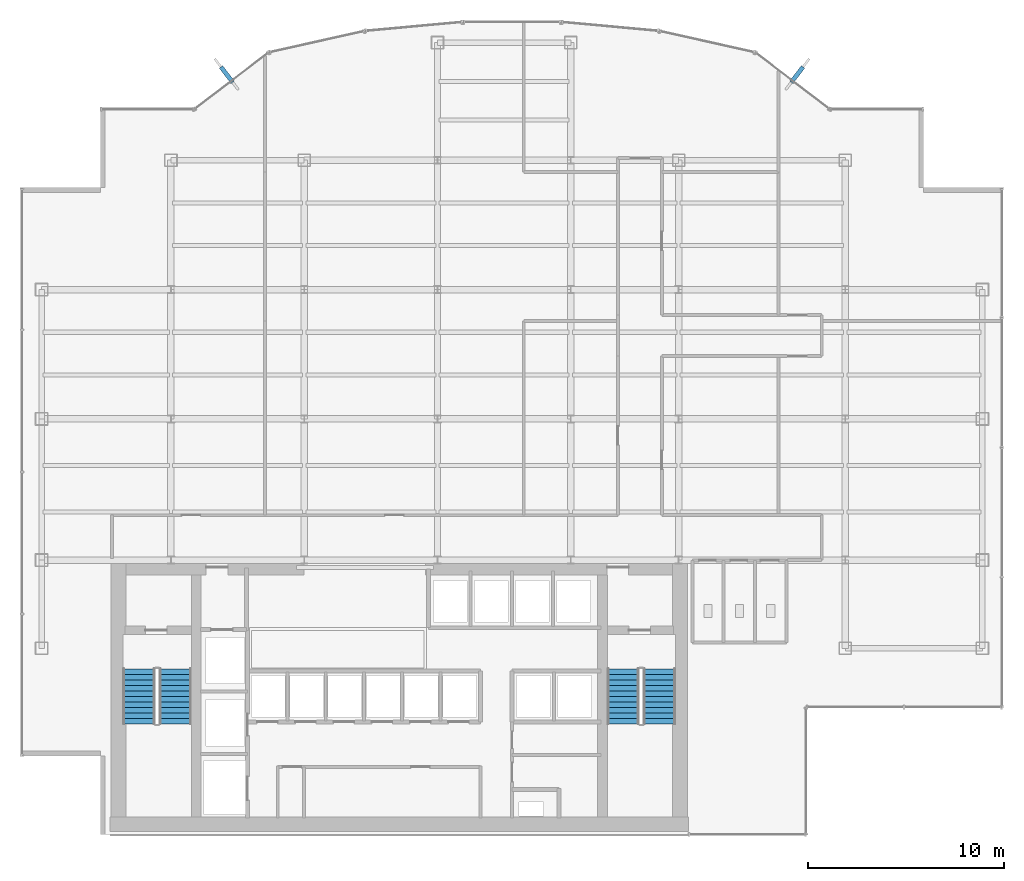
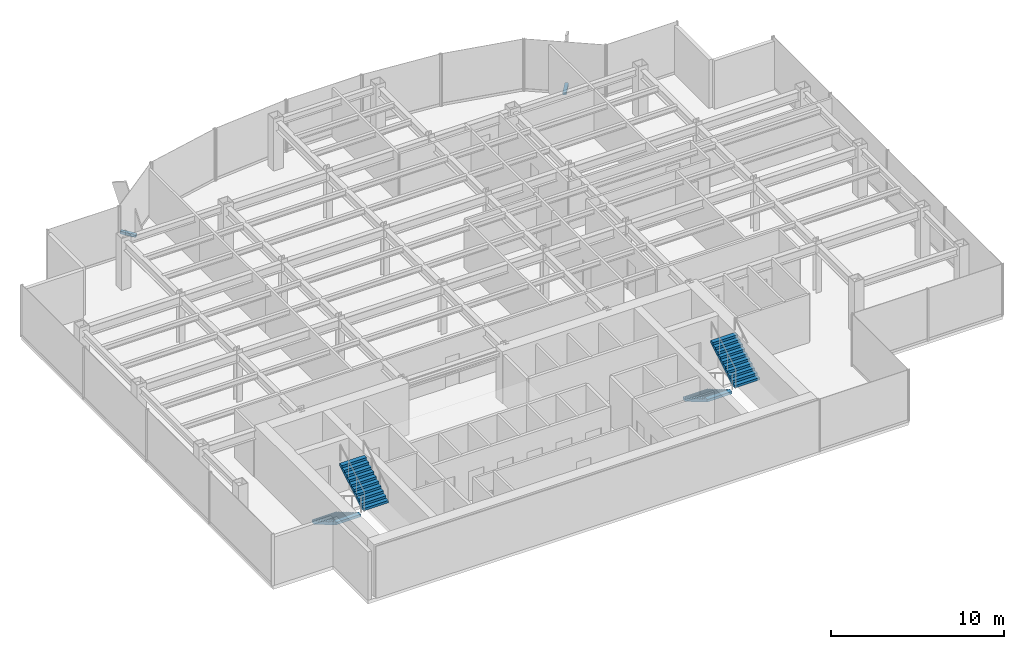
# One storey, part 22 of 25: 4 stair flights, 2 discrete accessories, 2 elements without a shape of their own.
"""IFC4 building model written with IfcOpenShell, lengths in metres."""

from ifc_helpers import new_model, si_unit, derived_unit, direction, frame, origin, origin_2d, place, context, subcontext, project, spatial, polyline, rectangle, outline, extrude, source, transform, mapped, material, type_object, element, aggregate, save


model = new_model("IFC4")

# Units and contexts
model_context = context("Model", 3, precision=1e-05, world=origin(), true_north=direction((0.0, 1.0)))
body_context = subcontext(model_context, "Body", "Model", "MODEL_VIEW")
ifc_project = project(units=[si_unit("LENGTHUNIT", "METRE"), si_unit("AREAUNIT", "SQUARE_METRE"), si_unit("VOLUMEUNIT", "CUBIC_METRE"), si_unit("PLANEANGLEUNIT", "RADIAN"), si_unit("MASSUNIT", "GRAM", prefix="KILO"), derived_unit("THERMALTRANSMITTANCEUNIT", [(si_unit("POWERUNIT", "WATT"), 1), (si_unit("LENGTHUNIT", "METRE"), -2), (si_unit("THERMODYNAMICTEMPERATUREUNIT", "KELVIN"), -1)])], contexts=[model_context])

# Site, building, storey
site_placement = place(None, origin())
site = spatial("IfcSite", under=ifc_project, at=site_placement, CompositionType="ELEMENT")
building_placement = place(site_placement, origin())
building = spatial("IfcBuilding", under=site, at=building_placement, Name="Skarnbrae Concourse Arena and Tower", CompositionType="ELEMENT")
storey_placement = place(building_placement, frame((0.0, 0.0, 166.14990234375)))
storey = spatial("IfcBuildingStorey", under=building, at=storey_placement, Name="L42", CompositionType="ELEMENT", Elevation=166.14990234375)

# Stair, stair flights
ifc_material_1 = material(Name="Concrete 40 MPa (C40/50)", Category="concrete")
stair_type = type_object("IfcStairType", Name="STAIR-DOGLEG-1650", PredefinedType="HALF_TURN_STAIR", material=ifc_material_1)
stair_1_placement = place(storey_placement, origin())
stair_1 = element("IfcStair", 1, at=stair_1_placement, inside=storey, type_object=stair_type, Name="L42 Protected Exit Stair ST-1", PredefinedType="HALF_TURN_STAIR")
stair_flight_type = type_object("IfcStairFlightType", Name="FLIGHT-STRAIGHT-1650", PredefinedType="STRAIGHT", material=ifc_material_1)
shared_shape_1 = source(origin(), body_context, "Body", "SweptSolid", [
    extrude(outline(polyline([(0.0, 0.0), (0.0, 0.166015625), (0.280029296875, 0.166015625), (0.280029296875, 0.331787109375), (0.56005859375, 0.331787109375), (0.56005859375, 0.497802734375), (0.840087890625, 0.497802734375), (0.840087890625, 0.66357421875), (1.1201171875, 0.66357421875), (1.1201171875, 0.82958984375), (1.39990234375, 0.82958984375), (1.39990234375, 0.995361328125), (1.679931640625, 0.995361328125), (1.679931640625, 1.161376953125), (1.9599609375, 1.161376953125), (1.9599609375, 1.327392578125), (2.239990234375, 1.327392578125), (2.239990234375, 1.4931640625), (2.52001953125, 1.4931640625), (2.52001953125, 1.6591796875), (2.800048828125, 1.6591796875), (2.800048828125, 1.824951171875), (2.800048828125, 1.48486328125), (0.2939453125, 0.0), (0.0, 0.0)])), frame((0.0, 0.824951171875, 0.0), z_axis=(0.0, -1.0, 0.0), x_axis=(1.0, 0.0, 0.0)), (0.0, 0.0, 1.0), 1.64990234375),
])
stair_flight_1_placement = place(storey_placement, frame((5.97509765625, 8.449951171875, 0.0), z_axis=(0.0, 0.0, 1.0), x_axis=(0.0, -1.0, 0.0)))
stair_flight_1 = element("IfcStairFlight", 2, at=stair_flight_1_placement, type_object=stair_flight_type, Name="ST-1 flight 1", NumberOfRisers=11, NumberOfTreads=10, PredefinedType="STRAIGHT", RiserHeight=0.165909091, TreadLength=0.28, context=body_context, shape_type="MappedRepresentation", body=[
    mapped(shared_shape_1, transform((0.0, 0.0, 0.0))),
])
stair_flight_2_placement = place(storey_placement, frame((7.824951171875, 5.64990234375, 1.8251953125), z_axis=(0.0, 0.0, 1.0), x_axis=(0.0, 1.0, 0.0)))
stair_flight_2 = element("IfcStairFlight", 3, at=stair_flight_2_placement, type_object=stair_flight_type, Name="ST-1 flight 2", NumberOfRisers=11, NumberOfTreads=10, PredefinedType="STRAIGHT", RiserHeight=0.165909091, TreadLength=0.28, context=body_context, shape_type="MappedRepresentation", body=[
    mapped(shared_shape_1, transform((0.0, 0.0, 0.0))),
])
aggregate(stair_1, [stair_flight_1, stair_flight_2])

stair_2_placement = place(storey_placement, origin())
stair_2 = element("IfcStair", 4, at=stair_2_placement, inside=storey, type_object=stair_type, Name="L42 Protected Exit Stair ST-2", PredefinedType="HALF_TURN_STAIR")
stair_flight_3_placement = place(storey_placement, frame((30.675048828125, 8.449951171875, 0.0), z_axis=(0.0, 0.0, 1.0), x_axis=(0.0, -1.0, 0.0)))
stair_flight_3 = element("IfcStairFlight", 5, at=stair_flight_3_placement, type_object=stair_flight_type, Name="ST-2 flight 1", NumberOfRisers=11, NumberOfTreads=10, PredefinedType="STRAIGHT", RiserHeight=0.165909091, TreadLength=0.28, context=body_context, shape_type="MappedRepresentation", body=[
    mapped(shared_shape_1, transform((0.0, 0.0, 0.0))),
])
stair_flight_4_placement = place(storey_placement, frame((32.52490234375, 5.64990234375, 1.8251953125), z_axis=(0.0, 0.0, 1.0), x_axis=(0.0, 1.0, 0.0)))
stair_flight_4 = element("IfcStairFlight", 6, at=stair_flight_4_placement, type_object=stair_flight_type, Name="ST-2 flight 2", NumberOfRisers=11, NumberOfTreads=10, PredefinedType="STRAIGHT", RiserHeight=0.165909091, TreadLength=0.28, context=body_context, shape_type="MappedRepresentation", body=[
    mapped(shared_shape_1, transform((0.0, 0.0, 0.0))),
])
aggregate(stair_2, [stair_flight_3, stair_flight_4])

# Discrete accessories
ifc_material_2 = material(Name="Bronze anodised aluminium 6063-T6", Category="aluminium")
discrete_accessory_type = type_object("IfcDiscreteAccessoryType", Name="ACC-FIN-BRACKET", PredefinedType="BRACKET", material=ifc_material_2)
shared_shape_2 = source(origin(), body_context, "Body", "SweptSolid", [
    extrude(rectangle(XDim=0.219970703125, YDim=0.97998046875, at=origin_2d()), origin(), (0.0, 0.0, 1.0), 0.179931640625),
])
for number, where, z_axis, x_axis, name in (
    (7, (39.54736328125, 38.764404296875, -0.02978515625), (0.0, 0.0, 1.0), (0.794954941871, -0.606668476513, 0.0), "L42 Bronze fin foot support bracket 08"),
    (8, (10.45263671875, 38.764404296875, -0.02978515625), (0.0, 0.0, 1.0), (0.794954941871, 0.606668476513, 0.0), "L42 Bronze fin foot support bracket 14"),
):
    element("IfcDiscreteAccessory", number, at=place(storey_placement, frame(where, z_axis=z_axis, x_axis=x_axis)), inside=storey, type_object=discrete_accessory_type, Name=name, PredefinedType="BRACKET", context=body_context, shape_type="MappedRepresentation", body=[
        mapped(shared_shape_2, transform((0.0, 0.0, 0.0))),
    ])

save(model, "model.ifc")
